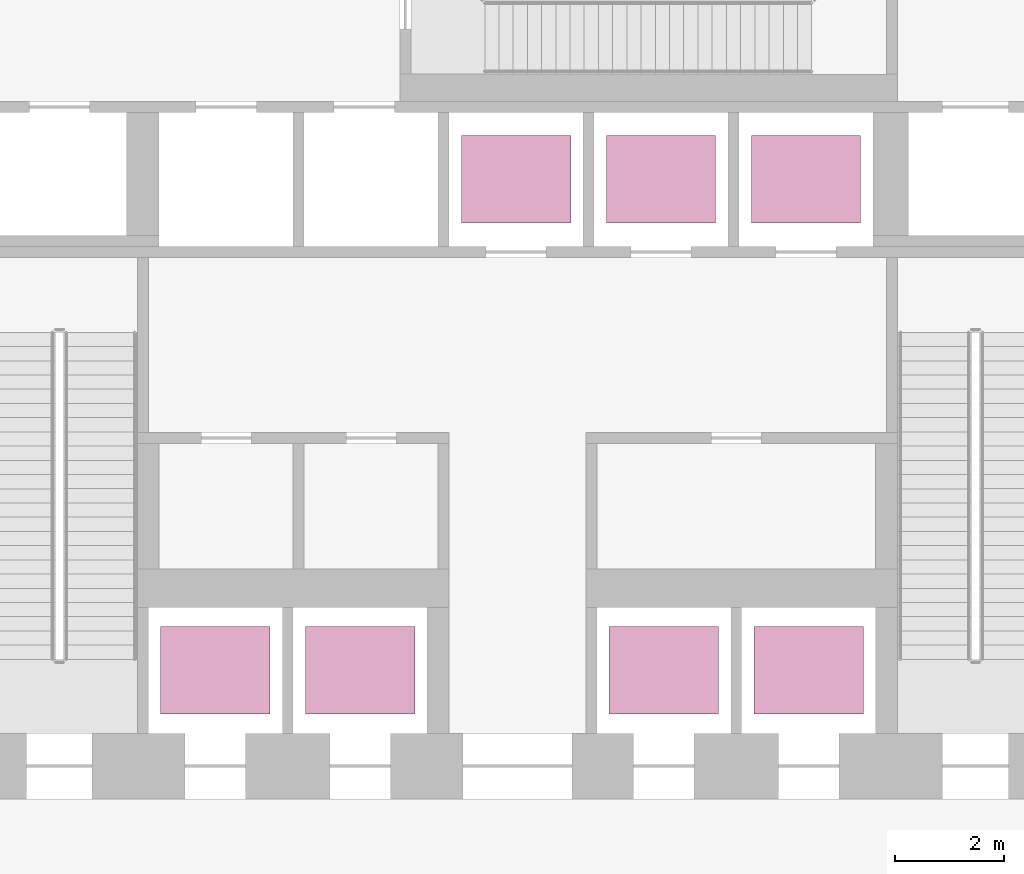
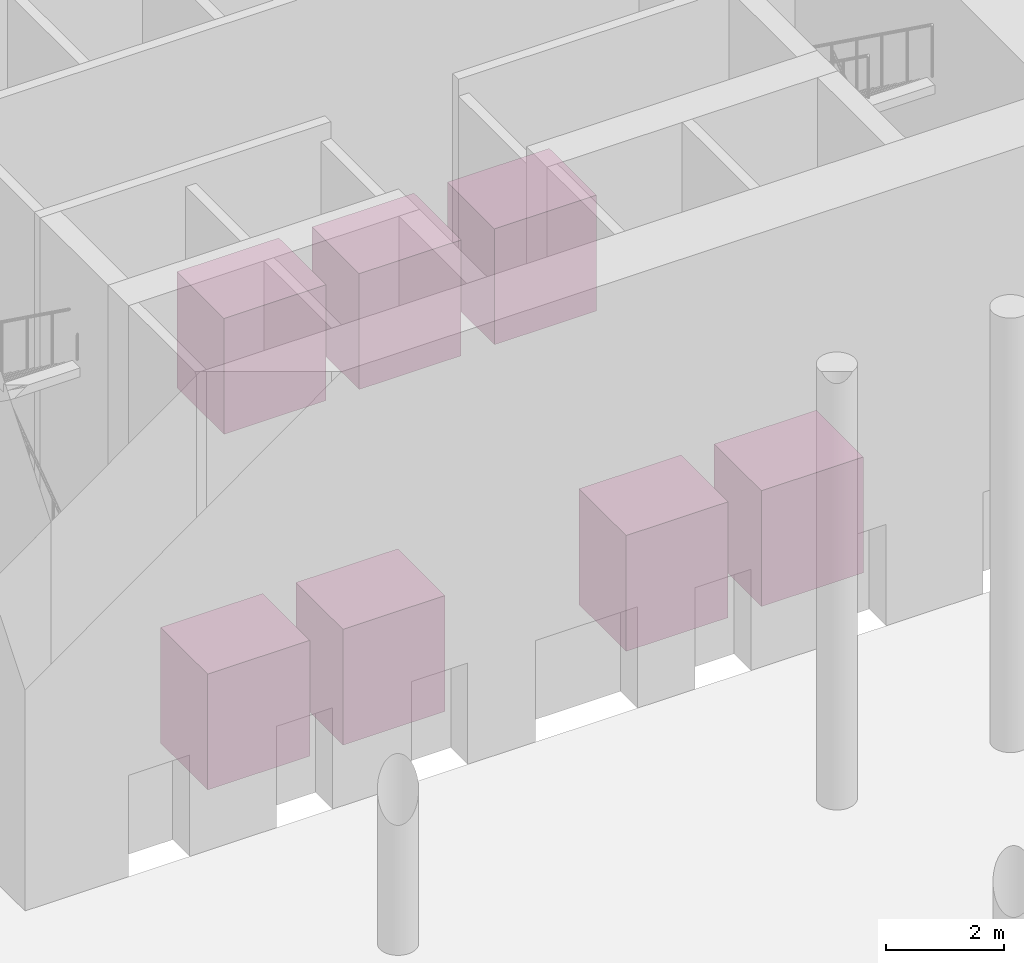
# One storey, part 25 of 25: 7 transport elements.
"""IFC4 building model written with IfcOpenShell, lengths in metres."""

from ifc_helpers import new_model, si_unit, direction, frame, origin, origin_2d, place, context, subcontext, project, spatial, rectangle, extrude, material, type_object, element, save


model = new_model("IFC4")

# Units and contexts
model_context = context("Model", 3, precision=1e-05, world=origin(), true_north=direction((0.0, 1.0)))
body_context = subcontext(model_context, "Body", "Model", "MODEL_VIEW")
ifc_project = project(units=[si_unit("LENGTHUNIT", "METRE"), si_unit("AREAUNIT", "SQUARE_METRE"), si_unit("VOLUMEUNIT", "CUBIC_METRE"), si_unit("PLANEANGLEUNIT", "RADIAN"), si_unit("MASSUNIT", "GRAM", prefix="KILO")], contexts=[model_context])

# Site, building, storey
site_placement = place(None, origin())
site = spatial("IfcSite", under=ifc_project, at=site_placement, CompositionType="ELEMENT")
building_placement = place(site_placement, origin())
building = spatial("IfcBuilding", under=site, at=building_placement, Name="White Candle Pilgrim Tower", CompositionType="ELEMENT")
storey_placement = place(building_placement, origin())
storey = spatial("IfcBuildingStorey", under=building, at=storey_placement, Name="L00", CompositionType="ELEMENT", Elevation=0.0)

# Transport elements
ifc_material = material(Name="Stainless steel", Category="steel")
transport_element_type_1 = type_object("IfcTransportElementType", Name="Passenger lift car LR1 2000 x 1600 1600 kg", PredefinedType="ELEVATOR", material=ifc_material)
transport_element_1_placement = place(storey_placement, frame((64.47509765625, 73.35009765625, 0.0), z_axis=(0.0, 0.0, 1.0), x_axis=(1.0, 0.0, 0.0)))
element("IfcTransportElement", 1, at=transport_element_1_placement, inside=storey, type_object=transport_element_type_1, Name="Low-rise lift LR1", PredefinedType="ELEVATOR", context=body_context, shape_type="SweptSolid", body=[
    extrude(rectangle(XDim=2.0, YDim=1.60009765625, at=origin_2d()), origin(), (0.0, 0.0, 1.0), 2.39990234375),
])
transport_element_type_2 = type_object("IfcTransportElementType", Name="Passenger lift car LR2 2000 x 1600 1600 kg", PredefinedType="ELEVATOR", material=ifc_material)
transport_element_2_placement = place(storey_placement, frame((67.125, 73.35009765625, 0.0), z_axis=(0.0, 0.0, 1.0), x_axis=(1.0, 0.0, 0.0)))
element("IfcTransportElement", 2, at=transport_element_2_placement, inside=storey, type_object=transport_element_type_2, Name="Low-rise lift LR2", PredefinedType="ELEVATOR", context=body_context, shape_type="SweptSolid", body=[
    extrude(rectangle(XDim=2.0, YDim=1.60009765625, at=origin_2d()), origin(), (0.0, 0.0, 1.0), 2.39990234375),
])
transport_element_type_3 = type_object("IfcTransportElementType", Name="Passenger lift car LR3 2000 x 1600 1600 kg", PredefinedType="ELEVATOR", material=ifc_material)
transport_element_3_placement = place(storey_placement, frame((72.675048828125, 73.35009765625, 0.0), z_axis=(0.0, 0.0, 1.0), x_axis=(1.0, 0.0, 0.0)))
element("IfcTransportElement", 3, at=transport_element_3_placement, inside=storey, type_object=transport_element_type_3, Name="Low-rise lift LR3", PredefinedType="ELEVATOR", context=body_context, shape_type="SweptSolid", body=[
    extrude(rectangle(XDim=2.0, YDim=1.60009765625, at=origin_2d()), origin(), (0.0, 0.0, 1.0), 2.39990234375),
])
transport_element_type_4 = type_object("IfcTransportElementType", Name="Passenger lift car LR4 2000 x 1600 1600 kg", PredefinedType="ELEVATOR", material=ifc_material)
transport_element_4_placement = place(storey_placement, frame((75.324951171875, 73.35009765625, 0.0), z_axis=(0.0, 0.0, 1.0), x_axis=(1.0, 0.0, 0.0)))
element("IfcTransportElement", 4, at=transport_element_4_placement, inside=storey, type_object=transport_element_type_4, Name="Low-rise lift LR4", PredefinedType="ELEVATOR", context=body_context, shape_type="SweptSolid", body=[
    extrude(rectangle(XDim=2.0, YDim=1.60009765625, at=origin_2d()), origin(), (0.0, 0.0, 1.0), 2.39990234375),
])
transport_element_type_5 = type_object("IfcTransportElementType", Name="Passenger lift car LR5 2000 x 1600 1600 kg", PredefinedType="ELEVATOR", material=ifc_material)
transport_element_5_placement = place(storey_placement, frame((75.27490234375, 82.324951171875, 0.0), z_axis=(0.0, 0.0, 1.0), x_axis=(1.0, 0.0, 0.0)))
element("IfcTransportElement", 5, at=transport_element_5_placement, inside=storey, type_object=transport_element_type_5, Name="Low-rise lift LR5", PredefinedType="ELEVATOR", context=body_context, shape_type="SweptSolid", body=[
    extrude(rectangle(XDim=2.0, YDim=1.60009765625, at=origin_2d()), origin(), (0.0, 0.0, 1.0), 2.39990234375),
])
transport_element_type_6 = type_object("IfcTransportElementType", Name="Passenger lift car SH1 2000 x 1600 1600 kg", PredefinedType="ELEVATOR", material=ifc_material)
transport_element_6_placement = place(storey_placement, frame((69.97509765625, 82.324951171875, 0.0), z_axis=(0.0, 0.0, 1.0), x_axis=(1.0, 0.0, 0.0)))
element("IfcTransportElement", 6, at=transport_element_6_placement, inside=storey, type_object=transport_element_type_6, Name="Shuttle lift SH1", PredefinedType="ELEVATOR", context=body_context, shape_type="SweptSolid", body=[
    extrude(rectangle(XDim=2.0, YDim=1.60009765625, at=origin_2d()), origin(), (0.0, 0.0, 1.0), 2.39990234375),
])
transport_element_type_7 = type_object("IfcTransportElementType", Name="Passenger lift car SH2 2000 x 1600 1600 kg", PredefinedType="ELEVATOR", material=ifc_material)
transport_element_7_placement = place(storey_placement, frame((72.625, 82.324951171875, 0.0), z_axis=(0.0, 0.0, 1.0), x_axis=(1.0, 0.0, 0.0)))
element("IfcTransportElement", 7, at=transport_element_7_placement, inside=storey, type_object=transport_element_type_7, Name="Shuttle lift SH2", PredefinedType="ELEVATOR", context=body_context, shape_type="SweptSolid", body=[
    extrude(rectangle(XDim=2.0, YDim=1.60009765625, at=origin_2d()), origin(), (0.0, 0.0, 1.0), 2.39990234375),
])

save(model, "model.ifc")
